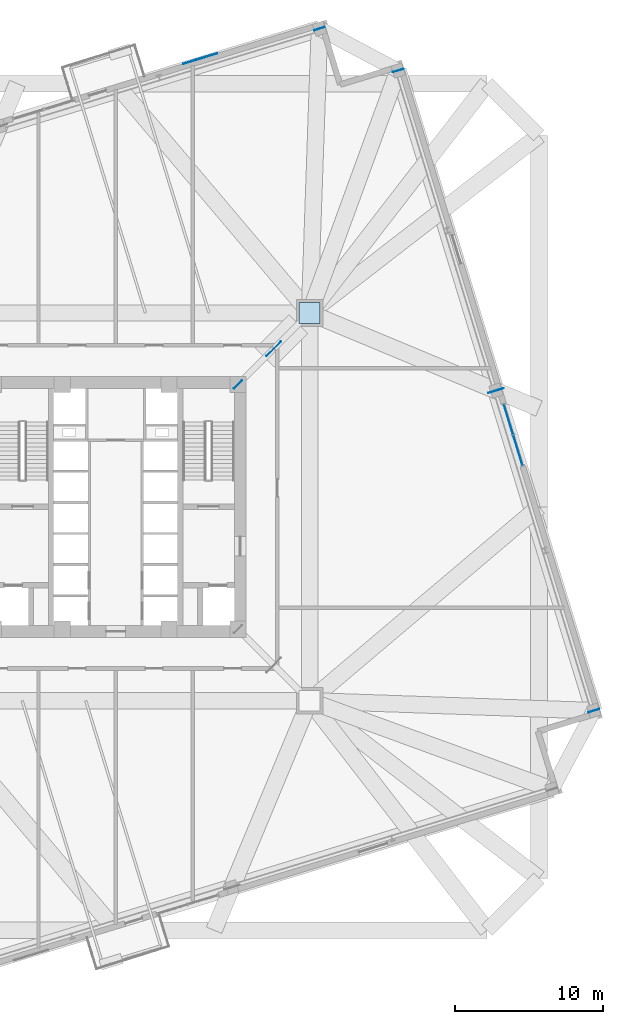
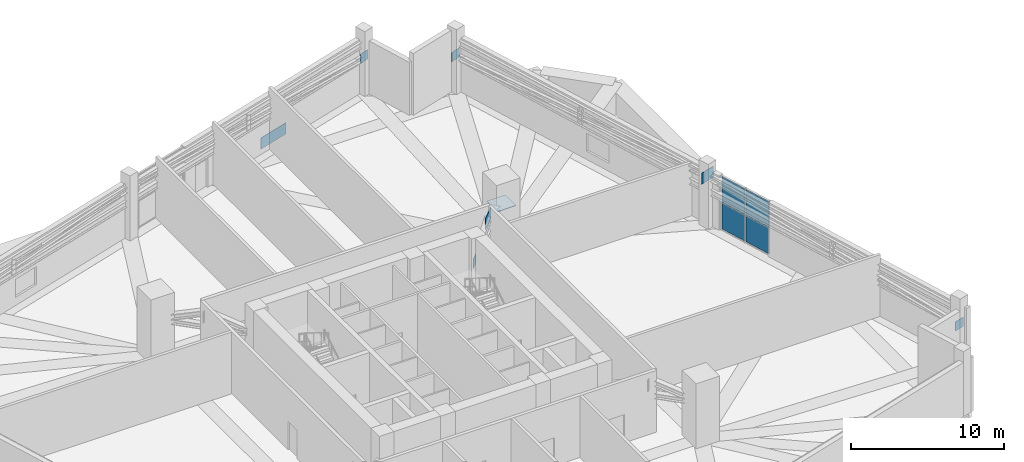
# One storey, part 16 of 22: 12 plates, 1 element without a shape of its own.
"""IFC4 building model written with IfcOpenShell, lengths in metres."""

from ifc_helpers import new_model, si_unit, direction, frame, origin, origin_2d, place, context, subcontext, project, spatial, rectangle, extrude, source, transform, mapped, material, layer, layer_set, type_object, element, aggregate, save


model = new_model("IFC4")

# Units and contexts
model_context = context("Model", 3, precision=1e-05, world=origin(), true_north=direction((0.0, 1.0)))
body_context = subcontext(model_context, "Body", "Model", "MODEL_VIEW")
ifc_project = project(units=[si_unit("LENGTHUNIT", "METRE"), si_unit("AREAUNIT", "SQUARE_METRE"), si_unit("VOLUMEUNIT", "CUBIC_METRE"), si_unit("PLANEANGLEUNIT", "RADIAN"), si_unit("MASSUNIT", "GRAM", prefix="KILO"), si_unit("THERMODYNAMICTEMPERATUREUNIT", "KELVIN")], contexts=[model_context])

# Site, building, storey
site_placement = place(None, origin())
site = spatial("IfcSite", under=ifc_project, at=site_placement, CompositionType="ELEMENT")
building_placement = place(site_placement, origin())
building = spatial("IfcBuilding", under=site, at=building_placement, Name="Kosmvard Interchange Tower", CompositionType="ELEMENT")
storey_placement = place(building_placement, frame((0.0, 0.0, 78.0)))
storey = spatial("IfcBuildingStorey", under=building, at=storey_placement, Name="L18", CompositionType="ELEMENT", Elevation=78.0)

# Plates
ifc_material_1 = material(Name="Steel S460", Category="steel")
ifc_layer_1 = layer(ifc_material_1, 0.031982421875, Name="Steel S460")
ifc_layer_set_1 = layer_set([ifc_layer_1], Name="Steel S460")
plate_type_1 = type_object("IfcPlateType", Name="Belt Truss Gusset Plate 1100x1100x32 S460", PredefinedType="USERDEFINED", material=ifc_layer_set_1)
shared_shape_1 = source(origin(), body_context, "Body", "SweptSolid", [
    extrude(rectangle(XDim=0.75, YDim=0.031982421875, at=origin_2d()), origin(), (0.0, 0.0, 1.0), 0.75),
])
for number, where, z_axis, x_axis, name in (
    (1, (8.25, 8.25, 2.544921875), (0.0, 0.0, 1.0), (0.707106781187, 0.707106781187, 0.0), "L18 Outrigger Core End Gusset Plate 3"),
    (2, (32.253173828125, -13.74560546875, 2.445068359375), (0.0, 0.0, 1.0), (0.956304755963, 0.292371704723, 0.0), "L18 Belt Truss End Gusset Plate BAE"),
    (3, (19.052490234375, 29.431396484375, 2.445068359375), (0.0, 0.0, 1.0), (0.956304755963, 0.292371704723, 0.0), "L18 Belt Truss End Gusset Plate BBE"),
    (4, (13.74560546875, 32.253173828125, 2.445068359375), (0.0, 0.0, 1.0), (0.956304755963, 0.292371704723, 0.0), "L18 Belt Truss End Gusset Plate BAN"),
):
    element("IfcPlate", number, at=place(storey_placement, frame(where, z_axis=z_axis, x_axis=x_axis)), inside=storey, type_object=plate_type_1, Name=name, ObjectType="GUSSET_PLATE", PredefinedType="USERDEFINED", context=body_context, shape_type="MappedRepresentation", body=[
        mapped(shared_shape_1, transform((0.0, 0.0, 0.0), scale=1.0)),
    ])
ifc_layer_2 = layer(ifc_material_1, 0.035888671875, Name="Steel S460")
ifc_layer_set_2 = layer_set([ifc_layer_2], Name="Steel S460")
plate_type_2 = type_object("IfcPlateType", Name="Outrigger Node Gusset Plate 1400x1400x36 S460", PredefinedType="USERDEFINED", material=ifc_layer_set_2)
shared_shape_2 = source(origin(), body_context, "Body", "SweptSolid", [
    extrude(rectangle(XDim=1.39990234375, YDim=0.035888671875, at=origin_2d()), origin(), (0.0, 0.0, 1.0), 0.89990234375),
])
plate_1_placement = place(storey_placement, frame((10.66552734375, 10.66552734375, 3.580078125), z_axis=(0.0, 0.0, 1.0), x_axis=(0.707106781187, 0.707106781187, 0.0)))
element("IfcPlate", 5, at=plate_1_placement, inside=storey, type_object=plate_type_2, Name="L18 Outrigger Node Gusset Plate 3", ObjectType="GUSSET_PLATE", PredefinedType="USERDEFINED", context=body_context, shape_type="MappedRepresentation", body=[
    mapped(shared_shape_2, transform((0.0, 0.0, 0.0), scale=1.0)),
])
ifc_layer_3 = layer(ifc_material_1, 0.034912109375, Name="Steel S460")
ifc_layer_set_3 = layer_set([ifc_layer_3], Name="Steel S460")
plate_type_3 = type_object("IfcPlateType", Name="Mega-Column Splice Flange Plate 1400x1400x35 S460", PredefinedType="USERDEFINED", material=ifc_layer_set_3)
shared_shape_3 = source(origin(), body_context, "Body", "SweptSolid", [
    extrude(rectangle(XDim=1.39990234375, YDim=1.39990234375, at=origin_2d()), origin(), (0.0, 0.0, 1.0), 0.034912109375),
])
plate_2_placement = place(storey_placement, frame((13.0810546875, 13.0810546875, 2.90234375), z_axis=(0.0, 0.0, 1.0), x_axis=(1.0, 0.0, 0.0)))
element("IfcPlate", 6, at=plate_2_placement, inside=storey, type_object=plate_type_3, Name="L18 Mega-Column Splice Flange Plate 3", ObjectType="FLANGE_PLATE", PredefinedType="USERDEFINED", context=body_context, shape_type="MappedRepresentation", body=[
    mapped(shared_shape_3, transform((0.0, 0.0, 0.0), scale=1.0)),
])
shared_shape_4 = source(origin(), body_context, "Body", "SweptSolid", [
    extrude(rectangle(XDim=1.10009765625, YDim=0.031982421875, at=origin_2d()), origin(), (0.0, 0.0, 1.0), 0.89990234375),
])
plate_3_placement = place(storey_placement, frame((25.65283203125, 7.8427734375, 3.510009765625), z_axis=(0.0, 0.0, 1.0), x_axis=(0.956304755963, 0.292371704723, 0.0)))
element("IfcPlate", 7, at=plate_3_placement, inside=storey, type_object=plate_type_1, Name="L18 Belt Truss Node Gusset Plate E", ObjectType="GUSSET_PLATE", PredefinedType="USERDEFINED", context=body_context, shape_type="MappedRepresentation", body=[
    mapped(shared_shape_4, transform((0.0, 0.0, 0.0), scale=1.0)),
])
ifc_material_2 = material(Name="Architectural anodised aluminium", Category="aluminium")
ifc_layer_4 = layer(ifc_material_2, 0.0400390625, Name="Architectural anodised aluminium")
ifc_layer_set_4 = layer_set([ifc_layer_4], Name="Architectural anodised aluminium")
plate_type_4 = type_object("IfcPlateType", Name="Precast Spandrel Shadow Feature Sheet 2400x900x40", PredefinedType="SHEET", material=ifc_layer_set_4)
shared_shape_5 = source(origin(), body_context, "Body", "SweptSolid", [
    extrude(rectangle(XDim=0.0400390625, YDim=2.39990234375, at=origin_2d()), origin(), (0.0, 0.0, 1.0), 0.89990234375),
])
plate_4_placement = place(storey_placement, frame((5.705078125, 30.23291015625, 0.050048828125), z_axis=(0.0, 0.0, 1.0), x_axis=(-0.29237190653, 0.956304694264, 0.0)))
element("IfcPlate", 8, at=plate_4_placement, inside=storey, type_object=plate_type_4, Name="L18 Transfer Spandrel Fascia Sheet N", PredefinedType="SHEET", context=body_context, shape_type="MappedRepresentation", body=[
    mapped(shared_shape_5, transform((0.0, 0.0, 0.0), scale=1.0)),
])

# Curtain wall, plates
ifc_layer_5 = layer(ifc_material_2, 0.2099609375, Name="Architectural anodised aluminium")
ifc_layer_set_5 = layer_set([ifc_layer_5], Name="Architectural anodised aluminium")
curtain_wall_type = type_object("IfcCurtainWallType", Name="CW-4 Refuge Transfer Glazed Louvre Wall", PredefinedType="NOTDEFINED", material=ifc_layer_set_5)
curtain_wall_placement = place(storey_placement, origin())
curtain_wall = element("IfcCurtainWall", 9, at=curtain_wall_placement, inside=storey, type_object=curtain_wall_type, Name="L18 Transfer Louvre Curtain Wall E", PredefinedType="NOTDEFINED")
ifc_material_3 = material(Name="Low-E solar-control double glazing", Category="glass")
ifc_layer_6 = layer(ifc_material_3, 0.028076171875, Name="Low-E solar-control double glazing")
ifc_layer_set_6 = layer_set([ifc_layer_6], Name="Low-E solar-control double glazing")
plate_type_5 = type_object("IfcPlateType", Name="Concourse Vision Curtain Panel 28", PredefinedType="CURTAIN_PANEL", material=ifc_layer_set_6)
shared_shape_6 = source(origin(), body_context, "Body", "SweptSolid", [
    extrude(rectangle(XDim=2.08740234375, YDim=0.028076171875, at=origin_2d()), origin(), (0.0, 0.0, 1.0), 2.072509765625),
])
plate_5_placement = place(storey_placement, frame((27.12939453125, 3.8173828125, 0.06494140625), z_axis=(0.0, 0.0, 1.0), x_axis=(-0.292371803799, 0.956304725673, 0.0)))
plate_5 = element("IfcPlate", 10, at=plate_5_placement, type_object=plate_type_5, Name="CW-4 panel 1.1", PredefinedType="CURTAIN_PANEL", context=body_context, shape_type="MappedRepresentation", body=[
    mapped(shared_shape_6, transform((0.0, 0.0, 0.0), scale=1.0)),
])
plate_6_placement = place(storey_placement, frame((27.12939453125, 3.8173828125, 2.20263671875), z_axis=(0.0, 0.0, 1.0), x_axis=(-0.292371803799, 0.956304725673, 0.0)))
plate_6 = element("IfcPlate", 11, at=plate_6_placement, type_object=plate_type_5, Name="CW-4 panel 1.2", PredefinedType="CURTAIN_PANEL", context=body_context, shape_type="MappedRepresentation", body=[
    mapped(shared_shape_6, transform((0.0, 0.0, 0.0), scale=1.0)),
])
plate_7_placement = place(storey_placement, frame((26.4970703125, 5.885498046875, 0.06494140625), z_axis=(0.0, 0.0, 1.0), x_axis=(-0.292371803799, 0.956304725673, 0.0)))
plate_7 = element("IfcPlate", 12, at=plate_7_placement, type_object=plate_type_5, Name="CW-4 panel 2.1", PredefinedType="CURTAIN_PANEL", context=body_context, shape_type="MappedRepresentation", body=[
    mapped(shared_shape_6, transform((0.0, 0.0, 0.0), scale=1.0)),
])
plate_8_placement = place(storey_placement, frame((26.4970703125, 5.885498046875, 2.20263671875), z_axis=(0.0, 0.0, 1.0), x_axis=(-0.292371803799, 0.956304725673, 0.0)))
plate_8 = element("IfcPlate", 13, at=plate_8_placement, type_object=plate_type_5, Name="CW-4 panel 2.2", PredefinedType="CURTAIN_PANEL", context=body_context, shape_type="MappedRepresentation", body=[
    mapped(shared_shape_6, transform((0.0, 0.0, 0.0), scale=1.0)),
])
aggregate(curtain_wall, [plate_5, plate_6, plate_7, plate_8])

save(model, "model.ifc")
